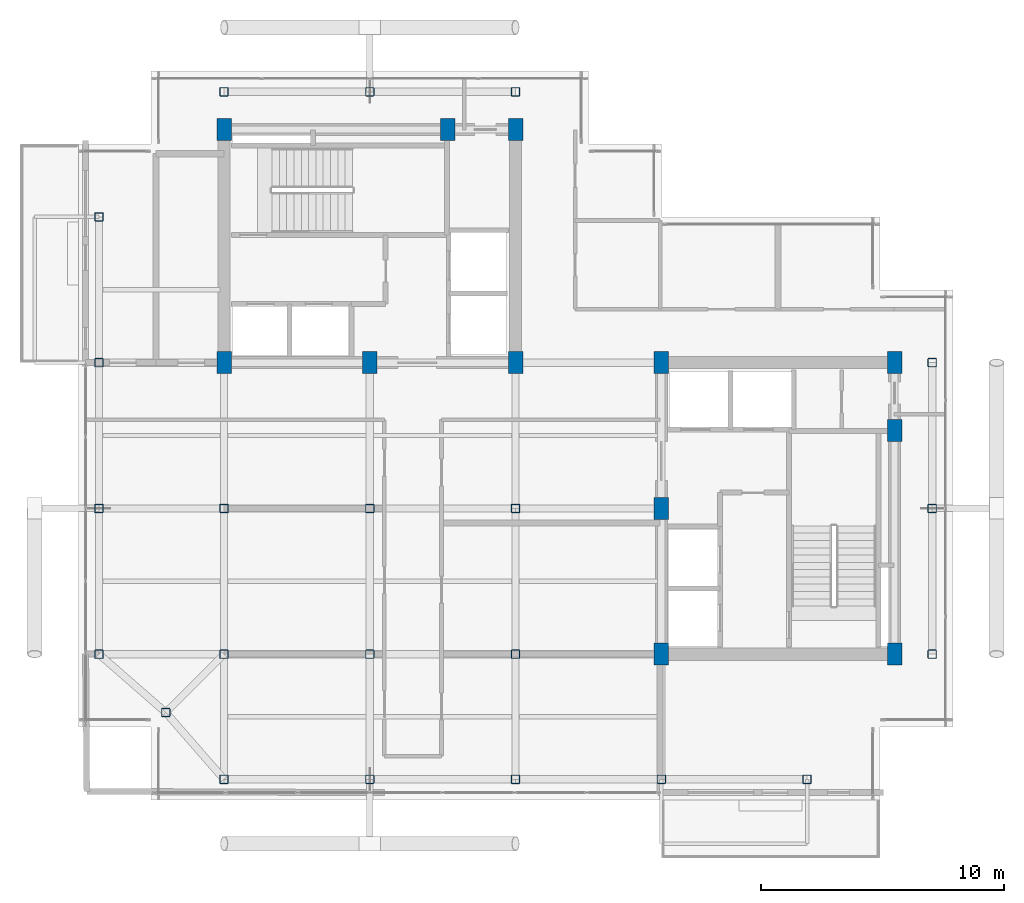
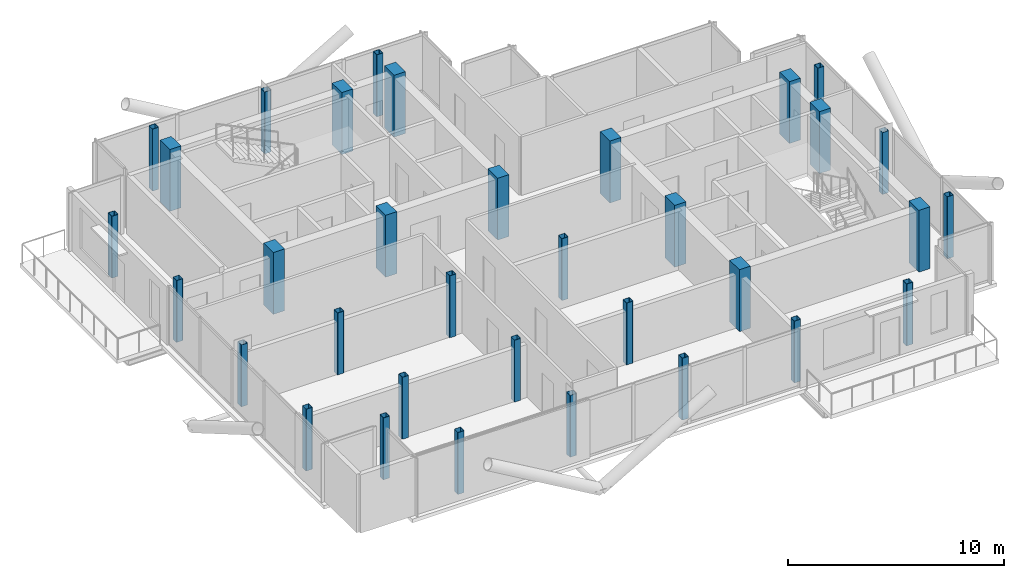
# One storey, part 1 of 18: 34 columns.
"""IFC4 building model written with IfcOpenShell, lengths in metres."""

from ifc_helpers import new_model, si_unit, direction, frame, origin, origin_2d, place, context, subcontext, project, spatial, rectangle, hollow_rectangle, extrude, material, material_profile, profile_set, type_object, element, save


model = new_model("IFC4")

# Units and contexts
model_context = context("Model", 3, precision=1e-05, world=origin(), true_north=direction((0.0, 1.0)))
body_context = subcontext(model_context, "Body", "Model", "MODEL_VIEW")
ifc_project = project(units=[si_unit("LENGTHUNIT", "METRE"), si_unit("AREAUNIT", "SQUARE_METRE"), si_unit("VOLUMEUNIT", "CUBIC_METRE"), si_unit("PLANEANGLEUNIT", "RADIAN"), si_unit("MASSUNIT", "GRAM", prefix="KILO"), si_unit("THERMODYNAMICTEMPERATUREUNIT", "KELVIN"), si_unit("POWERUNIT", "WATT")], contexts=[model_context])

# Site, building, storey
site_placement = place(None, origin())
site = spatial("IfcSite", under=ifc_project, at=site_placement, CompositionType="ELEMENT")
building_placement = place(site_placement, origin())
building = spatial("IfcBuilding", under=site, at=building_placement, Name="Svarakhadi Broadcast Tower", CompositionType="ELEMENT")
storey_placement = place(building_placement, frame((0.0, 0.0, 288.699951171875)))
storey = spatial("IfcBuildingStorey", under=building, at=storey_placement, Name="L73", CompositionType="ELEMENT", Elevation=288.699951171875)

# Columns
ifc_material_1 = material(Name="Concrete C50/60 (IS 456 M60)", Category="concrete")
ifc_material_profile_1 = material_profile(ifc_material_1, rectangle(XDim=0.60009765625, YDim=0.89990234375, at=origin_2d()), Name="RC 600x900")
ifc_profile_set_1 = profile_set([ifc_material_profile_1], Name="Concrete C50/60 (IS 456 M60)")
column_type_1 = type_object("IfcColumnType", Name="Col_RC600", PredefinedType="COLUMN", material=ifc_profile_set_1)
for number, where, z_axis, x_axis, name in (
    (1, (6.0, 18.0, 0.0), (0.0, 0.0, 1.0), (1.0, 0.0, 0.0), "L73 Column CW1"),
    (2, (12.0, 18.0, 0.0), (0.0, 0.0, 1.0), (1.0, 0.0, 0.0), "L73 Column CW2"),
    (3, (18.0, 18.0, 0.0), (0.0, 0.0, 1.0), (1.0, 0.0, 0.0), "L73 Column CW3"),
    (4, (6.0, 27.60009765625, 0.0), (0.0, 0.0, 1.0), (1.0, 0.0, 0.0), "L73 Column CW4"),
    (5, (15.199951171875, 27.60009765625, 0.0), (0.0, 0.0, 1.0), (1.0, 0.0, 0.0), "L73 Column CW5"),
    (6, (18.0, 27.60009765625, 0.0), (0.0, 0.0, 1.0), (1.0, 0.0, 0.0), "L73 Column CW6"),
    (7, (24.0, 6.0, 0.0), (0.0, 0.0, 1.0), (1.0, 0.0, 0.0), "L73 Column CE1"),
    (8, (24.0, 12.0, 0.0), (0.0, 0.0, 1.0), (1.0, 0.0, 0.0), "L73 Column CE2"),
    (9, (24.0, 18.0, 0.0), (0.0, 0.0, 1.0), (1.0, 0.0, 0.0), "L73 Column CE3"),
    (10, (33.60009765625, 6.0, 0.0), (0.0, 0.0, 1.0), (1.0, 0.0, 0.0), "L73 Column CE4"),
    (11, (33.60009765625, 15.199951171875, 0.0), (0.0, 0.0, 1.0), (1.0, 0.0, 0.0), "L73 Column CE5"),
    (12, (33.60009765625, 18.0, 0.0), (0.0, 0.0, 1.0), (1.0, 0.0, 0.0), "L73 Column CE6"),
):
    element("IfcColumn", number, at=place(storey_placement, frame(where, z_axis=z_axis, x_axis=x_axis)), inside=storey, type_object=column_type_1, Name=name, PredefinedType="COLUMN", context=body_context, shape_type="SweptSolid", body=[
        extrude(rectangle(XDim=0.60009765625, YDim=0.89990234375, at=origin_2d()), origin(), (0.0, 0.0, 1.0), 3.5),
    ])
ifc_material_2 = material(Name="Steel S460ML (IS 2062 E450BR)", Category="steel")
ifc_material_profile_2 = material_profile(ifc_material_2, hollow_rectangle(XDim=0.35009765625, YDim=0.35009765625, WallThickness=0.01611328125, InnerFilletRadius=0.01611328125, OuterFilletRadius=0.031982421875, at=origin_2d()), Name="SHS 350x350x16")
ifc_profile_set_2 = profile_set([ifc_material_profile_2], Name="Steel S460ML (IS 2062 E450BR)")
column_type_2 = type_object("IfcColumnType", Name="Col_SHS350", PredefinedType="COLUMN", material=ifc_profile_set_2)
for number, where, z_axis, x_axis, name in (
    (13, (3.60009765625, 3.60009765625, 0.0), (0.0, 0.0, 1.0), (1.0, 0.0, 0.0), "L73 Column G01"),
    (14, (0.85009765625, 6.0, 0.0), (0.0, 0.0, 1.0), (1.0, 0.0, 0.0), "L73 Column G03"),
    (15, (0.85009765625, 12.0, 0.0), (0.0, 0.0, 1.0), (1.0, 0.0, 0.0), "L73 Column G04"),
    (16, (0.85009765625, 18.0, 0.0), (0.0, 0.0, 1.0), (1.0, 0.0, 0.0), "L73 Column G05"),
    (17, (0.85009765625, 24.0, 0.0), (0.0, 0.0, 1.0), (1.0, 0.0, 0.0), "L73 Column G06"),
    (18, (6.0, 0.85009765625, 0.0), (0.0, 0.0, 1.0), (1.0, 0.0, 0.0), "L73 Column G11"),
    (19, (6.0, 6.0, 0.0), (0.0, 0.0, 1.0), (1.0, 0.0, 0.0), "L73 Column G12"),
    (20, (6.0, 12.0, 0.0), (0.0, 0.0, 1.0), (1.0, 0.0, 0.0), "L73 Column G13"),
    (21, (6.0, 29.14990234375, 0.0), (0.0, 0.0, 1.0), (1.0, 0.0, 0.0), "L73 Column G14"),
    (22, (12.0, 0.85009765625, 0.0), (0.0, 0.0, 1.0), (1.0, 0.0, 0.0), "L73 Column G18"),
    (23, (12.0, 6.0, 0.0), (0.0, 0.0, 1.0), (1.0, 0.0, 0.0), "L73 Column G19"),
    (24, (12.0, 12.0, 0.0), (0.0, 0.0, 1.0), (1.0, 0.0, 0.0), "L73 Column G20"),
    (25, (12.0, 29.14990234375, 0.0), (0.0, 0.0, 1.0), (1.0, 0.0, 0.0), "L73 Column G21"),
    (26, (18.0, 0.85009765625, 0.0), (0.0, 0.0, 1.0), (1.0, 0.0, 0.0), "L73 Column G25"),
    (27, (18.0, 6.0, 0.0), (0.0, 0.0, 1.0), (1.0, 0.0, 0.0), "L73 Column G26"),
    (28, (18.0, 12.0, 0.0), (0.0, 0.0, 1.0), (1.0, 0.0, 0.0), "L73 Column G27"),
    (29, (18.0, 29.14990234375, 0.0), (0.0, 0.0, 1.0), (1.0, 0.0, 0.0), "L73 Column G28"),
    (30, (24.0, 0.85009765625, 0.0), (0.0, 0.0, 1.0), (1.0, 0.0, 0.0), "L73 Column G32"),
    (31, (30.0, 0.85009765625, 0.0), (0.0, 0.0, 1.0), (1.0, 0.0, 0.0), "L73 Column G36"),
    (32, (35.14990234375, 6.0, 0.0), (0.0, 0.0, 1.0), (1.0, 0.0, 0.0), "L73 Column G39"),
    (33, (35.14990234375, 12.0, 0.0), (0.0, 0.0, 1.0), (1.0, 0.0, 0.0), "L73 Column G40"),
    (34, (35.14990234375, 18.0, 0.0), (0.0, 0.0, 1.0), (1.0, 0.0, 0.0), "L73 Column G41"),
):
    element("IfcColumn", number, at=place(storey_placement, frame(where, z_axis=z_axis, x_axis=x_axis)), inside=storey, type_object=column_type_2, Name=name, PredefinedType="COLUMN", context=body_context, shape_type="SweptSolid", body=[
        extrude(hollow_rectangle(XDim=0.35009765625, YDim=0.35009765625, WallThickness=0.01611328125, InnerFilletRadius=0.01611328125, OuterFilletRadius=0.031982421875, at=origin_2d()), origin(), (0.0, 0.0, 1.0), 3.5),
    ])

save(model, "model.ifc")
